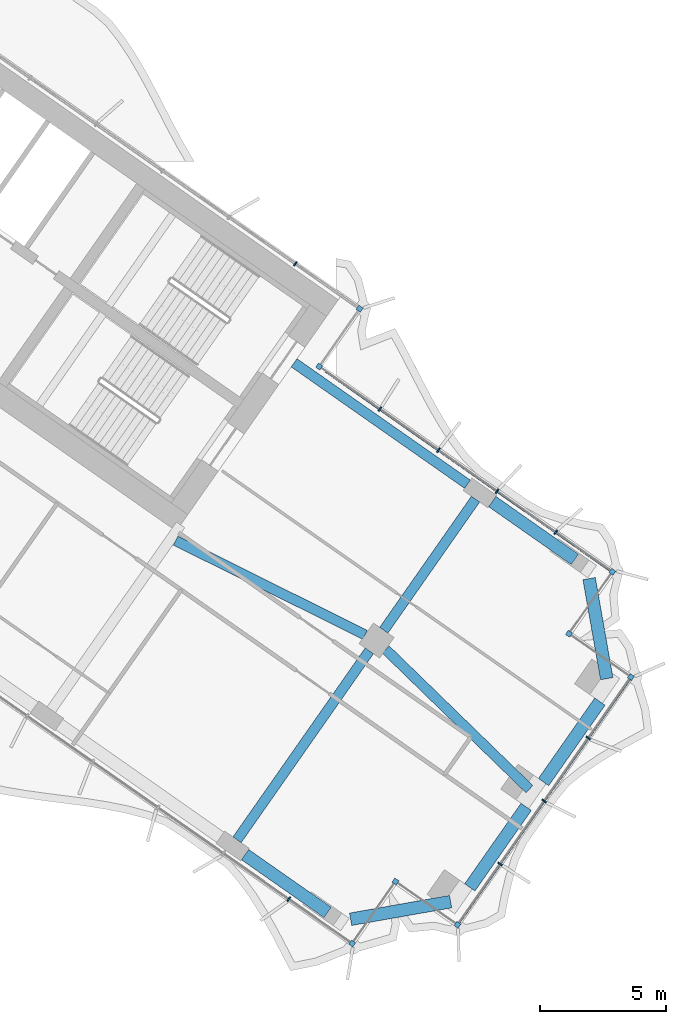
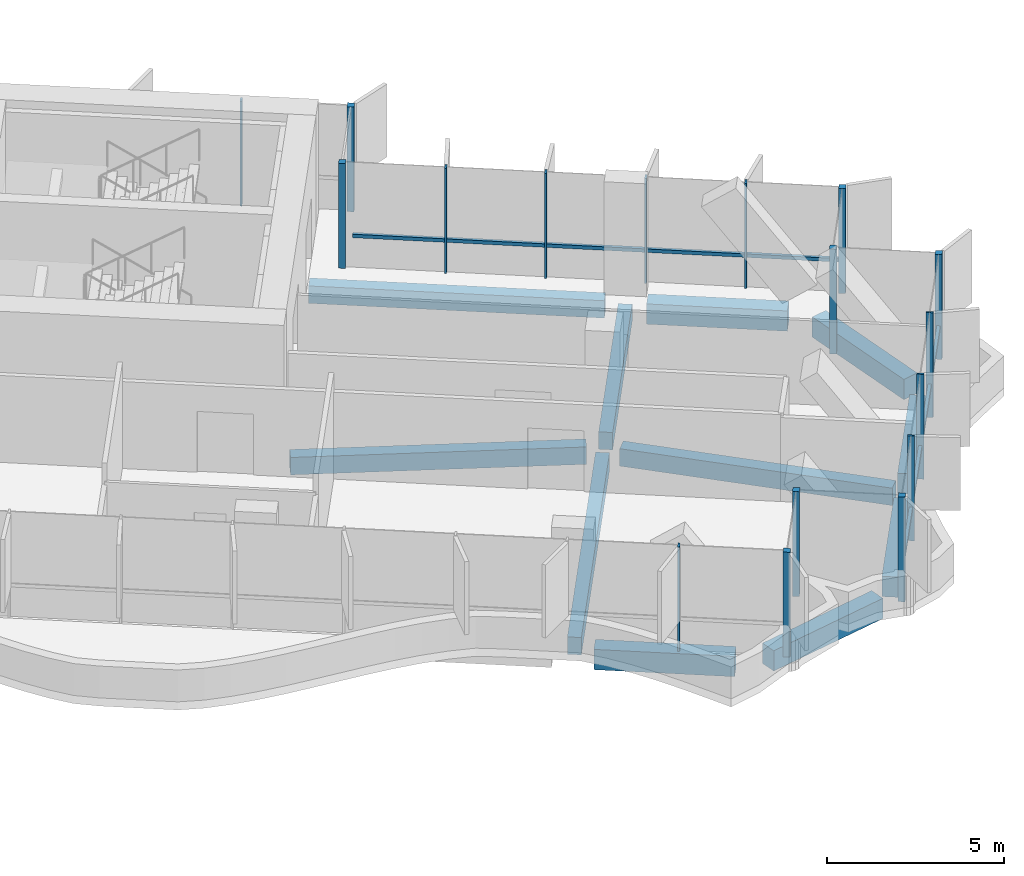
# One storey, part 9 of 21: 19 members, 11 beams, 2 elements without a shape of their own.
"""IFC4 building model written with IfcOpenShell, lengths in metres."""

from ifc_helpers import new_model, si_unit, direction, frame, origin, origin_2d, place, context, subcontext, project, spatial, rectangle, extrude, material, material_profile, profile_set, type_object, element, aggregate, save


model = new_model("IFC4")

# Units and contexts
model_context = context("Model", 3, precision=1e-05, world=origin(), true_north=direction((0.0, 1.0)))
body_context = subcontext(model_context, "Body", "Model", "MODEL_VIEW")
ifc_project = project(units=[si_unit("LENGTHUNIT", "METRE"), si_unit("AREAUNIT", "SQUARE_METRE"), si_unit("VOLUMEUNIT", "CUBIC_METRE"), si_unit("PLANEANGLEUNIT", "RADIAN"), si_unit("MASSUNIT", "GRAM", prefix="KILO")], contexts=[model_context])

# Site, building, storey
site_placement = place(None, origin())
site = spatial("IfcSite", under=ifc_project, at=site_placement, CompositionType="ELEMENT")
building_placement = place(site_placement, origin())
building = spatial("IfcBuilding", under=site, at=building_placement, Name="Tel Ilan Convention Tower", CompositionType="ELEMENT")
storey_placement = place(building_placement, frame((0.0, 0.0, 139.800048828125)))
storey = spatial("IfcBuildingStorey", under=building, at=storey_placement, Name="L31", CompositionType="ELEMENT", Elevation=139.800048828125)

# Beams
ifc_material_1 = material(Name="Concrete C40/50", Category="concrete")
ifc_material_profile_1 = material_profile(ifc_material_1, rectangle(XDim=0.39990234375, YDim=0.60009765625, at=origin_2d()), Name="RC 400x600")
ifc_profile_set_1 = profile_set([ifc_material_profile_1], Name="Concrete C40/50")
beam_type_1 = type_object("IfcBeamType", Name="Beam RC 400x600 Concrete C40/50", PredefinedType="BEAM", material=ifc_profile_set_1)
beam_1_placement = place(storey_placement, frame((33.09912109375, -14.44775390625, -0.580078125), z_axis=(-0.819147254605, 0.573583276668, 0.0), x_axis=(-0.573583276668, -0.819147254605, 0.0)))
element("IfcBeam", 1, at=beam_1_placement, inside=storey, type_object=beam_type_1, Name="L31 beam E-E-B4-core", PredefinedType="BEAM", context=body_context, shape_type="SweptSolid", body=[
    extrude(rectangle(XDim=0.39990234375, YDim=0.60009765625, at=origin_2d()), origin(), (0.0, 0.0, 1.0), 8.400146484375),
])
beam_2_placement = place(storey_placement, frame((21.52099609375, -16.686279296875, -0.580078125), z_axis=(0.895402365524, -0.445257907076, 0.0), x_axis=(0.445257907076, 0.895402365524, 0.0)))
element("IfcBeam", 2, at=beam_2_placement, inside=storey, type_object=beam_type_1, Name="L31 beam E-core-E-M4", PredefinedType="BEAM", context=body_context, shape_type="SweptSolid", body=[
    extrude(rectangle(XDim=0.39990234375, YDim=0.60009765625, at=origin_2d()), origin(), (0.0, 0.0, 1.0), 8.3935546875),
])
beam_3_placement = place(storey_placement, frame((29.8525390625, -21.001708984375, -0.580078125), z_axis=(0.716983836762, -0.697089791793, 0.0), x_axis=(0.697089791793, 0.716983836762, 0.0)))
element("IfcBeam", 3, at=beam_3_placement, inside=storey, type_object=beam_type_1, Name="L31 beam E-E-M4-end", PredefinedType="BEAM", context=body_context, shape_type="SweptSolid", body=[
    extrude(rectangle(XDim=0.39990234375, YDim=0.60009765625, at=origin_2d()), origin(), (0.0, 0.0, 1.0), 7.952392578125),
])
beam_4_placement = place(storey_placement, frame((29.20263671875, -21.058349609375, -0.580078125), z_axis=(-0.573557249804, -0.819165478519, 0.0), x_axis=(0.819165478519, -0.573557249804, 0.0)))
element("IfcBeam", 4, at=beam_4_placement, inside=storey, type_object=beam_type_1, Name="L31 beam E-E-M4-E-F4", PredefinedType="BEAM", context=body_context, shape_type="SweptSolid", body=[
    extrude(rectangle(XDim=0.39990234375, YDim=0.60009765625, at=origin_2d()), origin(), (0.0, 0.0, 1.0), 9.14990234375),
])
beam_5_placement = place(storey_placement, frame((29.7763671875, -20.2392578125, -0.580078125), z_axis=(0.573560394383, 0.819163276762, 0.0), x_axis=(-0.819163276762, 0.573560394383, 0.0)))
element("IfcBeam", 5, at=beam_5_placement, inside=storey, type_object=beam_type_1, Name="L31 beam E-E-M4-E-B4", PredefinedType="BEAM", context=body_context, shape_type="SweptSolid", body=[
    extrude(rectangle(XDim=0.39990234375, YDim=0.60009765625, at=origin_2d()), origin(), (0.0, 0.0, 1.0), 6.349853515625),
])
ifc_material_2 = material(Name="Concrete C40/50", Category="concrete")
ifc_material_profile_2 = material_profile(ifc_material_2, rectangle(XDim=0.5, YDim=0.699951171875, at=origin_2d()), Name="RC 500x700")
ifc_profile_set_2 = profile_set([ifc_material_profile_2], Name="Concrete C40/50")
beam_type_2 = type_object("IfcBeamType", Name="Beam RC 500x700 Concrete C40/50", PredefinedType="BEAM", material=ifc_profile_set_2)
beam_6_placement = place(storey_placement, frame((24.27392578125, -29.1435546875, -0.630126953125), z_axis=(0.819165963305, -0.573556557423, 0.0), x_axis=(0.573556557423, 0.819165963305, 0.0)))
element("IfcBeam", 6, at=beam_6_placement, inside=storey, type_object=beam_type_2, Name="L31 beam E-E-F4-E-FC", PredefinedType="BEAM", context=body_context, shape_type="SweptSolid", body=[
    extrude(rectangle(XDim=0.5, YDim=0.699951171875, at=origin_2d()), origin(), (0.0, 0.0, 1.0), 4.0),
])
beam_7_placement = place(storey_placement, frame((28.459716796875, -31.708251953125, -0.630126953125), z_axis=(0.984806721117, 0.173654029734, 0.0), x_axis=(-0.173654029734, 0.984806721117, 0.0)))
element("IfcBeam", 7, at=beam_7_placement, inside=storey, type_object=beam_type_2, Name="L31 beam E-E-FC-E-E1", PredefinedType="BEAM", context=body_context, shape_type="SweptSolid", body=[
    extrude(rectangle(XDim=0.5, YDim=0.699951171875, at=origin_2d()), origin(), (0.0, 0.0, 1.0), 4.03076171875),
])
for number, where, z_axis, x_axis, name in (
    (8, (33.19091796875, -30.443115234375, -0.630126953125), (0.573609383536, 0.819128973434, 0.0), (-0.819128973434, 0.573609383536, 0.0), "L31 beam E-E-E1-E-E2"),
    (9, (36.1162109375, -26.265380859375, -0.630126953125), (0.573609383536, 0.819128973434, 0.0), (-0.819128973434, 0.573609383536, 0.0), "L31 beam E-E-E2-E-E3"),
):
    element("IfcBeam", number, at=place(storey_placement, frame(where, z_axis=z_axis, x_axis=x_axis)), inside=storey, type_object=beam_type_2, Name=name, PredefinedType="BEAM", context=body_context, shape_type="SweptSolid", body=[
        extrude(rectangle(XDim=0.5, YDim=0.699951171875, at=origin_2d()), origin(), (0.0, 0.0, 1.0), 3.89990234375),
    ])
beam_8_placement = place(storey_placement, frame((38.623779296875, -22.16162109375, -0.630126953125), z_axis=(-0.173654029734, 0.984806721117, 0.0), x_axis=(-0.984806721117, -0.173654029734, 0.0)))
element("IfcBeam", 10, at=beam_8_placement, inside=storey, type_object=beam_type_2, Name="L31 beam E-E-E3-E-BC", PredefinedType="BEAM", context=body_context, shape_type="SweptSolid", body=[
    extrude(rectangle(XDim=0.5, YDim=0.699951171875, at=origin_2d()), origin(), (0.0, 0.0, 1.0), 4.03076171875),
])
beam_9_placement = place(storey_placement, frame((37.358642578125, -17.430419921875, -0.630126953125), z_axis=(-0.819137286189, 0.573597512525, 0.0), x_axis=(-0.573597512525, -0.819137286189, 0.0)))
element("IfcBeam", 11, at=beam_9_placement, inside=storey, type_object=beam_type_2, Name="L31 beam E-E-BC-E-B4", PredefinedType="BEAM", context=body_context, shape_type="SweptSolid", body=[
    extrude(rectangle(XDim=0.5, YDim=0.699951171875, at=origin_2d()), origin(), (0.0, 0.0, 1.0), 4.0),
])

# Curtain wall, members
ifc_material_3 = material(Name="Aluminium, bronze anodised", Category="aluminium")
curtain_wall_type_1 = type_object("IfcCurtainWallType", Name="CW2 STICK CURTAIN WALL, SPANDREL PANELS", PredefinedType="NOTDEFINED", material=ifc_material_3)
curtain_wall_1_placement = place(storey_placement, origin())
curtain_wall_1 = element("IfcCurtainWall", 12, at=curtain_wall_1_placement, inside=storey, type_object=curtain_wall_type_1, Name="Curtain wall CW2-25.01", PredefinedType="NOTDEFINED")
ifc_material_4 = material(Name="Aluminium, bronze anodised", Category="aluminium")
ifc_material_profile_3 = material_profile(ifc_material_4, rectangle(XDim=0.199951171875, YDim=0.199951171875, at=origin_2d()), Name="CW CORNER MULLION 200x200")
ifc_profile_set_3 = profile_set([ifc_material_profile_3], Name="Aluminium, bronze anodised")
member_type_1 = type_object("IfcMemberType", Name="CW CORNER MULLION 200x200", PredefinedType="MULLION", material=ifc_profile_set_3)
member_1_placement = place(storey_placement, frame((27.213623046875, -9.77734375, 0.0), z_axis=(0.0, 0.0, 1.0), x_axis=(-0.819152044289, 0.573576436351, 0.0)))
member_1 = element("IfcMember", 13, at=member_1_placement, type_object=member_type_1, Name="Corner mullion", PredefinedType="MULLION", context=body_context, shape_type="SweptSolid", body=[
    extrude(rectangle(XDim=0.199951171875, YDim=0.199951171875, at=origin_2d()), origin(), (0.0, 0.0, 1.0), 3.619873046875),
])
member_2_placement = place(storey_placement, frame((28.819580078125, -7.483642578125, 0.0), z_axis=(0.0, 0.0, 1.0), x_axis=(0.573576436351, 0.819152044289, 0.0)))
member_2 = element("IfcMember", 14, at=member_2_placement, type_object=member_type_1, Name="Corner mullion", PredefinedType="MULLION", context=body_context, shape_type="SweptSolid", body=[
    extrude(rectangle(XDim=0.199951171875, YDim=0.199951171875, at=origin_2d()), origin(), (0.0, 0.0, 1.0), 3.619873046875),
])

ifc_material_5 = material(Name="Aluminium, bronze anodised", Category="aluminium")
curtain_wall_type_2 = type_object("IfcCurtainWallType", Name="CW4 STICK CURTAIN WALL, OFFICE TINTED GLASS", PredefinedType="NOTDEFINED", material=ifc_material_5)
curtain_wall_2_placement = place(storey_placement, origin())
curtain_wall_2 = element("IfcCurtainWall", 15, at=curtain_wall_2_placement, inside=storey, type_object=curtain_wall_type_2, Name="Curtain wall CW4-25.02", PredefinedType="NOTDEFINED")
member_3_placement = place(storey_placement, frame((28.52099609375, -32.666748046875, 0.0), z_axis=(0.0, 0.0, 1.0), x_axis=(0.819152044289, -0.573576436351, 0.0)))
member_3 = element("IfcMember", 16, at=member_3_placement, type_object=member_type_1, Name="Corner mullion", PredefinedType="MULLION", context=body_context, shape_type="SweptSolid", body=[
    extrude(rectangle(XDim=0.199951171875, YDim=0.199951171875, at=origin_2d()), origin(), (0.0, 0.0, 1.0), 3.619873046875),
])
member_4_placement = place(storey_placement, frame((30.241943359375, -30.209228515625, 0.0), z_axis=(0.0, 0.0, 1.0), x_axis=(0.573576436351, 0.819152044289, 0.0)))
member_4 = element("IfcMember", 17, at=member_4_placement, type_object=member_type_1, Name="Corner mullion", PredefinedType="MULLION", context=body_context, shape_type="SweptSolid", body=[
    extrude(rectangle(XDim=0.199951171875, YDim=0.199951171875, at=origin_2d()), origin(), (0.0, 0.0, 1.0), 3.619873046875),
])
member_5_placement = place(storey_placement, frame((32.69921875, -31.929931640625, 0.0), z_axis=(0.0, 0.0, 1.0), x_axis=(0.819152044289, -0.573576436351, 0.0)))
member_5 = element("IfcMember", 18, at=member_5_placement, type_object=member_type_1, Name="Corner mullion", PredefinedType="MULLION", context=body_context, shape_type="SweptSolid", body=[
    extrude(rectangle(XDim=0.199951171875, YDim=0.199951171875, at=origin_2d()), origin(), (0.0, 0.0, 1.0), 3.619873046875),
])
member_6_placement = place(storey_placement, frame((39.582275390625, -22.10009765625, 0.0), z_axis=(0.0, 0.0, 1.0), x_axis=(0.573576436351, 0.819152044289, 0.0)))
member_6 = element("IfcMember", 19, at=member_6_placement, type_object=member_type_1, Name="Corner mullion", PredefinedType="MULLION", context=body_context, shape_type="SweptSolid", body=[
    extrude(rectangle(XDim=0.199951171875, YDim=0.199951171875, at=origin_2d()), origin(), (0.0, 0.0, 1.0), 3.619873046875),
])
member_7_placement = place(storey_placement, frame((37.124755859375, -20.37939453125, 0.0), z_axis=(0.0, 0.0, 1.0), x_axis=(-0.819152044289, 0.573576436351, 0.0)))
member_7 = element("IfcMember", 20, at=member_7_placement, type_object=member_type_1, Name="Corner mullion", PredefinedType="MULLION", context=body_context, shape_type="SweptSolid", body=[
    extrude(rectangle(XDim=0.199951171875, YDim=0.199951171875, at=origin_2d()), origin(), (0.0, 0.0, 1.0), 3.619873046875),
])
member_8_placement = place(storey_placement, frame((38.845458984375, -17.922119140625, 0.0), z_axis=(0.0, 0.0, 1.0), x_axis=(0.573576436351, 0.819152044289, 0.0)))
member_8 = element("IfcMember", 21, at=member_8_placement, type_object=member_type_1, Name="Corner mullion", PredefinedType="MULLION", context=body_context, shape_type="SweptSolid", body=[
    extrude(rectangle(XDim=0.199951171875, YDim=0.199951171875, at=origin_2d()), origin(), (0.0, 0.0, 1.0), 3.619873046875),
])

# Member
ifc_material_6 = material(Name="Aluminium, bronze anodised", Category="aluminium")
ifc_material_profile_4 = material_profile(ifc_material_6, rectangle(XDim=0.06005859375, YDim=0.199951171875, at=origin_2d()), Name="CW MULLION 60x200")
ifc_profile_set_4 = profile_set([ifc_material_profile_4], Name="Aluminium, bronze anodised")
member_type_2 = type_object("IfcMemberType", Name="CW MULLION 60x200", PredefinedType="MULLION", material=ifc_profile_set_4)
member_9_placement = place(storey_placement, frame((26.268798828125, -5.697509765625, 0.0), z_axis=(0.0, 0.0, 1.0), x_axis=(-0.819152044289, 0.573576436351, 0.0)))
member_9 = element("IfcMember", 22, at=member_9_placement, type_object=member_type_2, Name="Mullion", PredefinedType="MULLION", context=body_context, shape_type="SweptSolid", body=[
    extrude(rectangle(XDim=0.06005859375, YDim=0.199951171875, at=origin_2d()), origin(), (0.0, 0.0, 1.0), 3.619873046875),
])

aggregate(curtain_wall_1, [member_1, member_2, member_9])

member_10_placement = place(storey_placement, frame((26.008056640625, -30.906982421875, 0.0), z_axis=(0.0, 0.0, 1.0), x_axis=(0.819152044289, -0.573576436351, 0.0)))
member_10 = element("IfcMember", 23, at=member_10_placement, type_object=member_type_2, Name="Mullion", PredefinedType="MULLION", context=body_context, shape_type="SweptSolid", body=[
    extrude(rectangle(XDim=0.06005859375, YDim=0.199951171875, at=origin_2d()), origin(), (0.0, 0.0, 1.0), 3.619873046875),
])

member_11_placement = place(storey_placement, frame((34.391357421875, -29.513427734375, 0.0), z_axis=(0.0, 0.0, 1.0), x_axis=(0.573576436351, 0.819152044289, 0.0)))
member_11 = element("IfcMember", 24, at=member_11_placement, type_object=member_type_2, Name="Mullion", PredefinedType="MULLION", context=body_context, shape_type="SweptSolid", body=[
    extrude(rectangle(XDim=0.06005859375, YDim=0.199951171875, at=origin_2d()), origin(), (0.0, 0.0, 1.0), 3.619873046875),
])

member_12_placement = place(storey_placement, frame((36.140869140625, -27.01513671875, 0.0), z_axis=(0.0, 0.0, 1.0), x_axis=(0.573576436351, 0.819152044289, 0.0)))
member_12 = element("IfcMember", 25, at=member_12_placement, type_object=member_type_2, Name="Mullion", PredefinedType="MULLION", context=body_context, shape_type="SweptSolid", body=[
    extrude(rectangle(XDim=0.06005859375, YDim=0.199951171875, at=origin_2d()), origin(), (0.0, 0.0, 1.0), 3.619873046875),
])

member_13_placement = place(storey_placement, frame((37.89013671875, -24.5166015625, 0.0), z_axis=(0.0, 0.0, 1.0), x_axis=(0.573576436351, 0.819152044289, 0.0)))
member_13 = element("IfcMember", 26, at=member_13_placement, type_object=member_type_2, Name="Mullion", PredefinedType="MULLION", context=body_context, shape_type="SweptSolid", body=[
    extrude(rectangle(XDim=0.06005859375, YDim=0.199951171875, at=origin_2d()), origin(), (0.0, 0.0, 1.0), 3.619873046875),
])

member_14_placement = place(storey_placement, frame((36.60107421875, -16.350341796875, 0.0), z_axis=(0.0, 0.0, 1.0), x_axis=(-0.819152044289, 0.573576436351, 0.0)))
member_14 = element("IfcMember", 27, at=member_14_placement, type_object=member_type_2, Name="Mullion", PredefinedType="MULLION", context=body_context, shape_type="SweptSolid", body=[
    extrude(rectangle(XDim=0.06005859375, YDim=0.199951171875, at=origin_2d()), origin(), (0.0, 0.0, 1.0), 3.619873046875),
])

member_15_placement = place(storey_placement, frame((34.274658203125, -14.721435546875, 0.0), z_axis=(0.0, 0.0, 1.0), x_axis=(-0.819152044289, 0.573576436351, 0.0)))
member_15 = element("IfcMember", 28, at=member_15_placement, type_object=member_type_2, Name="Mullion", PredefinedType="MULLION", context=body_context, shape_type="SweptSolid", body=[
    extrude(rectangle(XDim=0.06005859375, YDim=0.199951171875, at=origin_2d()), origin(), (0.0, 0.0, 1.0), 3.619873046875),
])

member_16_placement = place(storey_placement, frame((31.9482421875, -13.092529296875, 0.0), z_axis=(0.0, 0.0, 1.0), x_axis=(-0.819152044289, 0.573576436351, 0.0)))
member_16 = element("IfcMember", 29, at=member_16_placement, type_object=member_type_2, Name="Mullion", PredefinedType="MULLION", context=body_context, shape_type="SweptSolid", body=[
    extrude(rectangle(XDim=0.06005859375, YDim=0.199951171875, at=origin_2d()), origin(), (0.0, 0.0, 1.0), 3.619873046875),
])

member_17_placement = place(storey_placement, frame((29.621826171875, -11.463623046875, 0.0), z_axis=(0.0, 0.0, 1.0), x_axis=(-0.819152044289, 0.573576436351, 0.0)))
member_17 = element("IfcMember", 30, at=member_17_placement, type_object=member_type_2, Name="Mullion", PredefinedType="MULLION", context=body_context, shape_type="SweptSolid", body=[
    extrude(rectangle(XDim=0.06005859375, YDim=0.199951171875, at=origin_2d()), origin(), (0.0, 0.0, 1.0), 3.619873046875),
])

ifc_material_7 = material(Name="Aluminium, bronze anodised", Category="aluminium")
ifc_material_profile_5 = material_profile(ifc_material_7, rectangle(XDim=0.10009765625, YDim=0.1201171875, at=origin_2d()), Name="CW TRANSOM 100x120")
ifc_profile_set_5 = profile_set([ifc_material_profile_5], Name="Aluminium, bronze anodised")
member_type_3 = type_object("IfcMemberType", Name="CW TRANSOM 100x120", PredefinedType="USERDEFINED", material=ifc_profile_set_5)
member_18_placement = place(storey_placement, frame((32.756591796875, -31.84814453125, 1.099853515625), z_axis=(0.573581755582, 0.819148319698, 0.0), x_axis=(-0.819148319698, 0.573581755582, 0.0)))
member_18 = element("IfcMember", 31, at=member_18_placement, type_object=member_type_3, Name="Transom", ObjectType="TRANSOM", PredefinedType="USERDEFINED", context=body_context, shape_type="SweptSolid", body=[
    extrude(rectangle(XDim=0.10009765625, YDim=0.1201171875, at=origin_2d()), origin(), (0.0, 0.0, 1.0), 11.800048828125),
])

member_19_placement = place(storey_placement, frame((38.763671875, -17.86474609375, 1.099853515625), z_axis=(-0.819149630799, 0.573579883156, 0.0), x_axis=(-0.573579883156, -0.819149630799, 0.0)))
member_19 = element("IfcMember", 32, at=member_19_placement, type_object=member_type_3, Name="Transom", ObjectType="TRANSOM", PredefinedType="USERDEFINED", context=body_context, shape_type="SweptSolid", body=[
    extrude(rectangle(XDim=0.10009765625, YDim=0.1201171875, at=origin_2d()), origin(), (0.0, 0.0, 1.0), 13.80029296875),
])

aggregate(curtain_wall_2, [member_10, member_3, member_4, member_5, member_11, member_12, member_13, member_6, member_18, member_7, member_8, member_14, member_15, member_16, member_17, member_19])

save(model, "model.ifc")
